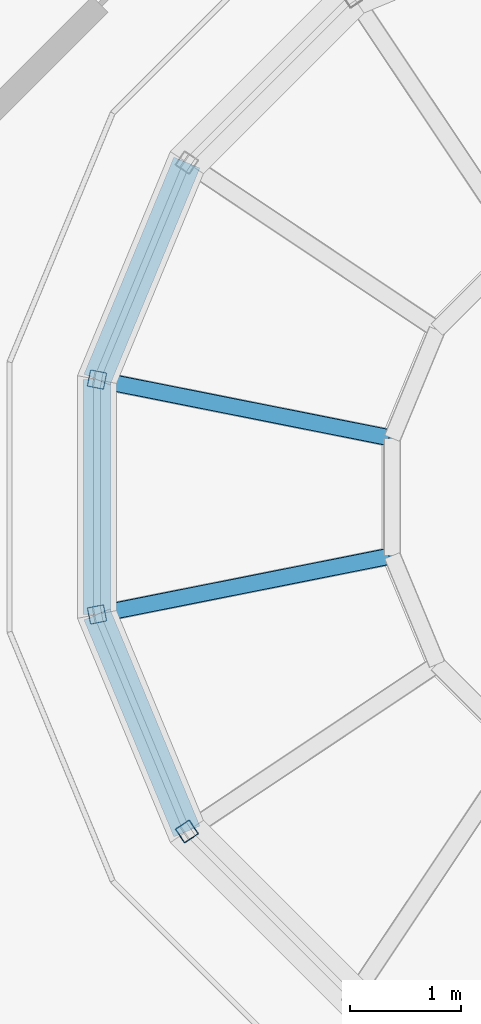
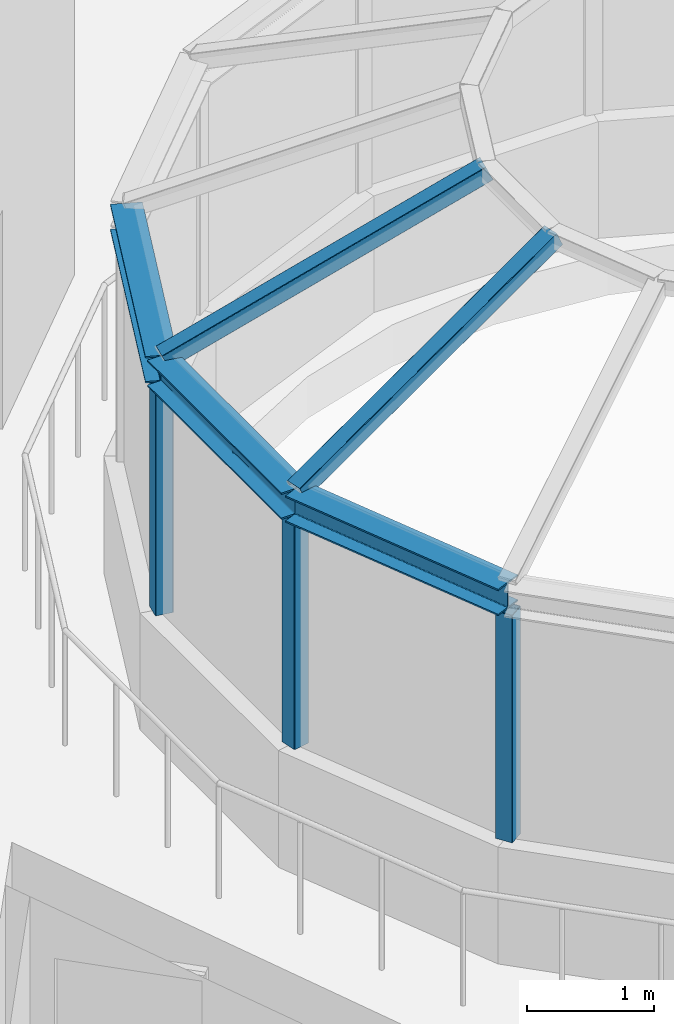
# One storey, part 5 of 32: 8 members, 4 elements without a shape of their own.
"""IFC4 building model written with IfcOpenShell, lengths in metres."""

from ifc_helpers import new_model, si_unit, direction, frame, origin, origin_2d, place, context, subcontext, project, spatial, hollow_rectangle, i_section, extrude, material, layer, layer_set, material_profile, profile_set, type_object, element, aggregate, save


model = new_model("IFC4")

# Units and contexts
model_context = context("Model", 3, precision=1e-05, world=origin(), true_north=direction((0.0, 1.0)))
body_context = subcontext(model_context, "Body", "Model", "MODEL_VIEW")
ifc_project = project(units=[si_unit("LENGTHUNIT", "METRE"), si_unit("AREAUNIT", "SQUARE_METRE"), si_unit("VOLUMEUNIT", "CUBIC_METRE"), si_unit("PLANEANGLEUNIT", "RADIAN"), si_unit("MASSUNIT", "GRAM", prefix="KILO")], contexts=[model_context])

# Site, building, storey
site_placement = place(None, origin())
site = spatial("IfcSite", under=ifc_project, at=site_placement, CompositionType="ELEMENT")
building_placement = place(site_placement, origin())
building = spatial("IfcBuilding", under=site, at=building_placement, Name="Verdalira Terraces Hotel", CompositionType="ELEMENT")
storey_placement = place(building_placement, frame((0.0, 0.0, 315.0)))
storey = spatial("IfcBuildingStorey", under=building, at=storey_placement, Name="L78", CompositionType="ELEMENT", Elevation=315.0)

# Curtain wall, member
ifc_material_1 = material(Name="Clear laminated glass", Category="glass")
ifc_layer = layer(ifc_material_1, 0.14990234375)
ifc_layer_set = layer_set([ifc_layer], Name="Atrium lantern curtain wall")
curtain_wall_type = type_object("IfcCurtainWallType", Name="Atrium lantern curtain wall", PredefinedType="NOTDEFINED", material=ifc_layer_set)
curtain_wall_1_placement = place(storey_placement, origin())
curtain_wall_1 = element("IfcCurtainWall", 1, at=curtain_wall_1_placement, inside=storey, type_object=curtain_wall_type, Name="Atrium lantern curtain wall facet 7", PredefinedType="NOTDEFINED")
ifc_material_2 = material(Name="Steel ASTM A992 Grade 50", Category="steel")
ifc_material_profile_1 = material_profile(ifc_material_2, i_section(OverallWidth=0.253906, OverallDepth=0.253906, WebThickness=0.008545, FlangeThickness=0.01416, FilletRadius=0.012695, at=origin_2d()), Name="W10X49")
ifc_profile_set_1 = profile_set([ifc_material_profile_1], Name="Steel ASTM A992 Grade 50")
member_type_1 = type_object("IfcMemberType", Name="Lantern head transom W10X49", PredefinedType="USERDEFINED", material=ifc_profile_set_1)
member_1_placement = place(storey_placement, frame((-4.48999, 3.0, 3.427002), z_axis=(-0.382631531, -0.923901029, 0.0), x_axis=(0.923901029, -0.382631531, 0.0)))
member_1 = element("IfcMember", 2, at=member_1_placement, type_object=member_type_1, Name="Lantern head transom LR07", ObjectType="TRANSOM", PredefinedType="USERDEFINED", context=body_context, shape_type="SweptSolid", body=[
    extrude(i_section(OverallWidth=0.253906, OverallDepth=0.253906, WebThickness=0.008545, FlangeThickness=0.01416, FilletRadius=0.012695, at=origin_2d()), origin(), (0.0, 0.0, 1.0), 2.106934),
])
aggregate(curtain_wall_1, [member_1])

curtain_wall_2_placement = place(storey_placement, origin())
curtain_wall_2 = element("IfcCurtainWall", 3, at=curtain_wall_2_placement, inside=storey, type_object=curtain_wall_type, Name="Atrium lantern curtain wall facet 8", PredefinedType="NOTDEFINED")
member_2_placement = place(storey_placement, frame((-5.296143, 1.053467, 3.427002), z_axis=(0.0, -1.0, 0.0), x_axis=(1.0, 0.0, 0.0)))
member_2 = element("IfcMember", 4, at=member_2_placement, type_object=member_type_1, Name="Lantern head transom LR08", ObjectType="TRANSOM", PredefinedType="USERDEFINED", context=body_context, shape_type="SweptSolid", body=[
    extrude(i_section(OverallWidth=0.253906, OverallDepth=0.253906, WebThickness=0.008545, FlangeThickness=0.01416, FilletRadius=0.012695, at=origin_2d()), origin(), (0.0, 0.0, 1.0), 2.106934),
])

curtain_wall_3_placement = place(storey_placement, origin())
curtain_wall_3 = element("IfcCurtainWall", 5, at=curtain_wall_3_placement, inside=storey, type_object=curtain_wall_type, Name="Atrium lantern curtain wall facet 9", PredefinedType="NOTDEFINED")
member_3_placement = place(storey_placement, frame((-5.296143, -1.053467, 3.427002), z_axis=(0.382631531, -0.923901029, 0.0), x_axis=(0.923901029, 0.382631531, 0.0)))
member_3 = element("IfcMember", 6, at=member_3_placement, type_object=member_type_1, Name="Lantern head transom LR09", ObjectType="TRANSOM", PredefinedType="USERDEFINED", context=body_context, shape_type="SweptSolid", body=[
    extrude(i_section(OverallWidth=0.253906, OverallDepth=0.253906, WebThickness=0.008545, FlangeThickness=0.01416, FilletRadius=0.012695, at=origin_2d()), origin(), (0.0, 0.0, 1.0), 2.106934),
])

# Member
ifc_material_3 = material(Name="Steel ASTM A500 Grade C", Category="steel")
ifc_material_profile_2 = material_profile(ifc_material_3, hollow_rectangle(XDim=0.15234375, YDim=0.15234375, WallThickness=0.005859375, InnerFilletRadius=0.0029296875, OuterFilletRadius=0.0087890625, at=origin_2d()), Name="HSS6X6X1/4")
ifc_profile_set_2 = profile_set([ifc_material_profile_2], Name="Steel ASTM A500 Grade C")
member_type_2 = type_object("IfcMemberType", Name="Lantern hip bar HSS6X6X1/4", PredefinedType="USERDEFINED", material=ifc_profile_set_2)
member_4_placement = place(storey_placement, frame((-5.2854, 1.051514, 3.531494), z_axis=(0.894537287, -0.178046211, 0.410003158), x_axis=(0.195208106, 0.980761844, 0.0)))
member_4 = element("IfcMember", 7, at=member_4_placement, type_object=member_type_2, Name="Lantern hip bar LH08", ObjectType="GLAZING BAR", PredefinedType="USERDEFINED", context=body_context, shape_type="SweptSolid", body=[
    extrude(hollow_rectangle(XDim=0.15234375, YDim=0.15234375, WallThickness=0.005859375, InnerFilletRadius=0.0029296875, OuterFilletRadius=0.0087890625, at=origin_2d()), origin(), (0.0, 0.0, 1.0), 2.948242),
])

member_5_placement = place(storey_placement, frame((-5.2854, -1.051514, 3.531494), z_axis=(0.894537287, 0.178046211, 0.410003158), x_axis=(-0.195208106, 0.980761844, 0.0)))
member_5 = element("IfcMember", 8, at=member_5_placement, type_object=member_type_2, Name="Lantern hip bar LH09", ObjectType="GLAZING BAR", PredefinedType="USERDEFINED", context=body_context, shape_type="SweptSolid", body=[
    extrude(hollow_rectangle(XDim=0.15234375, YDim=0.15234375, WallThickness=0.005859375, InnerFilletRadius=0.0029296875, OuterFilletRadius=0.0087890625, at=origin_2d()), origin(), (0.0, 0.0, 1.0), 2.948242),
])

ifc_material_4 = material(Name="Steel ASTM A500 Grade C", Category="steel")
ifc_material_profile_3 = material_profile(ifc_material_4, hollow_rectangle(XDim=0.15234375, YDim=0.15234375, WallThickness=0.005859375, InnerFilletRadius=0.0029296875, OuterFilletRadius=0.0087890625, at=origin_2d()), Name="HSS6X6X1/4")
ifc_profile_set_3 = profile_set([ifc_material_profile_3], Name="Steel ASTM A500 Grade C")
member_type_3 = type_object("IfcMemberType", Name="Lantern mullion HSS6X6X1/4", PredefinedType="MULLION", material=ifc_profile_set_3)
member_6_placement = place(storey_placement, frame((-5.296143, 1.053467, 1.119385), z_axis=(0.0, 0.0, 1.0), x_axis=(-0.98078528, 0.195090322, 0.0)))
member_6 = element("IfcMember", 9, at=member_6_placement, type_object=member_type_3, Name="Lantern mullion LM08", PredefinedType="MULLION", context=body_context, shape_type="SweptSolid", body=[
    extrude(hollow_rectangle(XDim=0.15234375, YDim=0.15234375, WallThickness=0.005859375, InnerFilletRadius=0.0029296875, OuterFilletRadius=0.0087890625, at=origin_2d()), origin(), (0.0, 0.0, 1.0), 2.181152),
])

aggregate(curtain_wall_2, [member_6, member_2, member_4])

member_7_placement = place(storey_placement, frame((-5.296143, -1.053467, 1.119385), z_axis=(0.0, 0.0, 1.0), x_axis=(-0.98078528, -0.195090322, 0.0)))
member_7 = element("IfcMember", 10, at=member_7_placement, type_object=member_type_3, Name="Lantern mullion LM09", PredefinedType="MULLION", context=body_context, shape_type="SweptSolid", body=[
    extrude(hollow_rectangle(XDim=0.15234375, YDim=0.15234375, WallThickness=0.005859375, InnerFilletRadius=0.0029296875, OuterFilletRadius=0.0087890625, at=origin_2d()), origin(), (0.0, 0.0, 1.0), 2.181152),
])

aggregate(curtain_wall_3, [member_7, member_3, member_5])

# Curtain wall, member
curtain_wall_4_placement = place(storey_placement, origin())
curtain_wall_4 = element("IfcCurtainWall", 11, at=curtain_wall_4_placement, inside=storey, type_object=curtain_wall_type, Name="Atrium lantern curtain wall facet 10", PredefinedType="NOTDEFINED")
member_8_placement = place(storey_placement, frame((-4.48999, -3.0, 1.119385), z_axis=(0.0, 0.0, 1.0), x_axis=(-0.831469612, -0.555570233, 0.0)))
member_8 = element("IfcMember", 12, at=member_8_placement, type_object=member_type_3, Name="Lantern mullion LM10", PredefinedType="MULLION", context=body_context, shape_type="SweptSolid", body=[
    extrude(hollow_rectangle(XDim=0.15234375, YDim=0.15234375, WallThickness=0.005859375, InnerFilletRadius=0.0029296875, OuterFilletRadius=0.0087890625, at=origin_2d()), origin(), (0.0, 0.0, 1.0), 2.181152),
])
aggregate(curtain_wall_4, [member_8])

save(model, "model.ifc")
